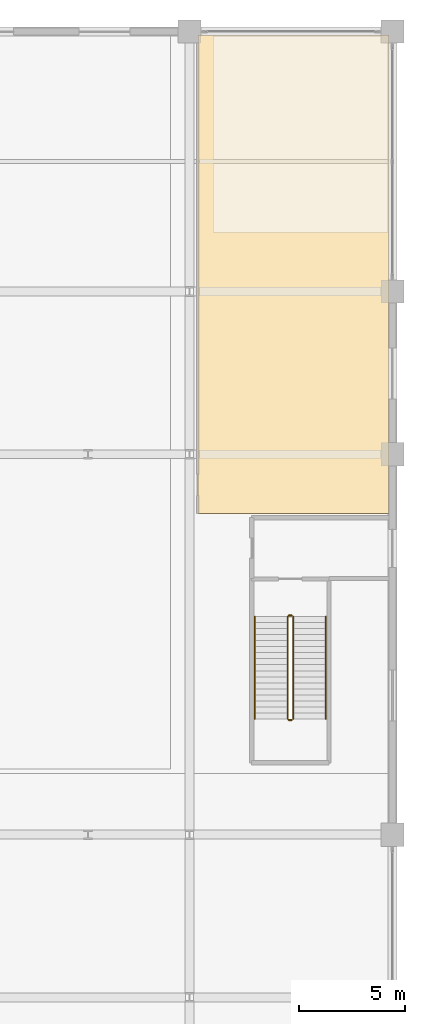
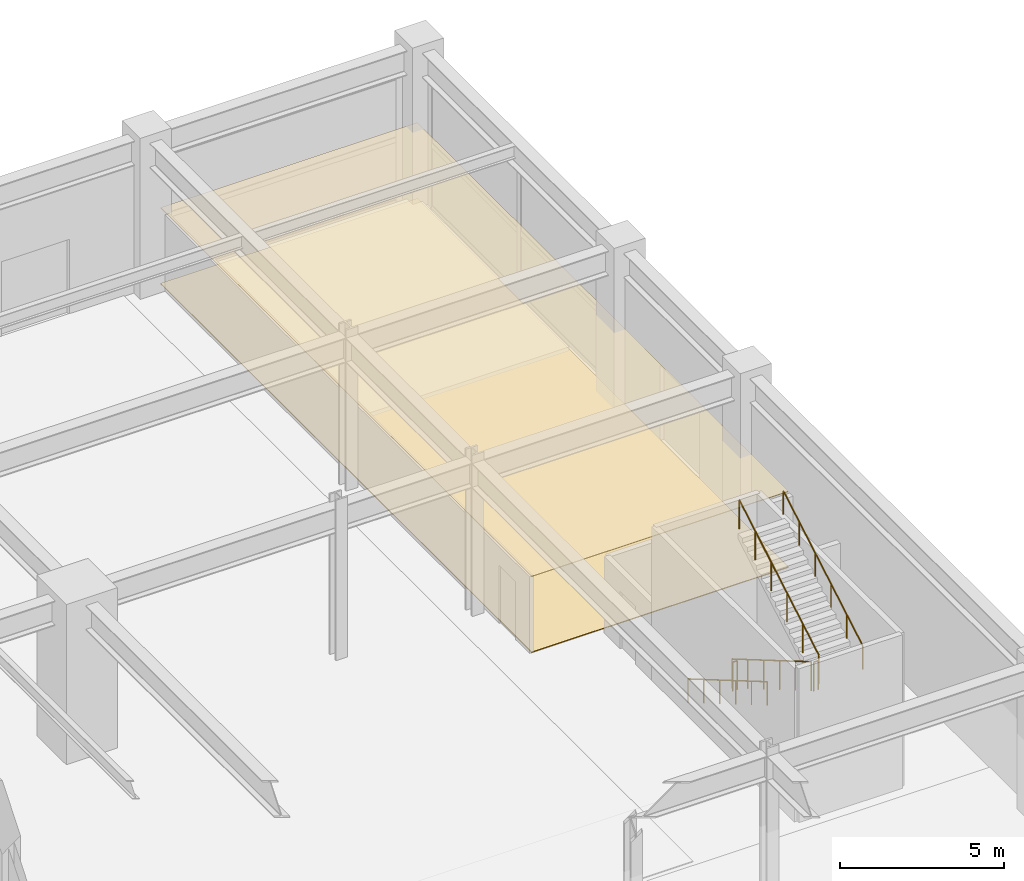
# One storey, part 40 of 41: 6 railings, 2 coverings.
"""IFC4 building model written with IfcOpenShell, lengths in metres."""

from ifc_helpers import new_model, si_unit, direction, frame, origin, origin_2d, place, context, subcontext, project, spatial, polyline, circle, outline, extrude, material, layer, layer_set, type_object, element, save


model = new_model("IFC4")

# Units and contexts
model_context = context("Model", 3, precision=1e-05, world=origin(), true_north=direction((0.0, 1.0)))
body_context = subcontext(model_context, "Body", "Model", "MODEL_VIEW")
ifc_project = project(units=[si_unit("LENGTHUNIT", "METRE"), si_unit("AREAUNIT", "SQUARE_METRE"), si_unit("VOLUMEUNIT", "CUBIC_METRE"), si_unit("PLANEANGLEUNIT", "RADIAN"), si_unit("MASSUNIT", "GRAM", prefix="KILO")], contexts=[model_context])

# Site, building, storey
site_placement = place(None, origin())
site = spatial("IfcSite", under=ifc_project, at=site_placement, CompositionType="ELEMENT")
building_placement = place(site_placement, origin())
building = spatial("IfcBuilding", under=site, at=building_placement, Name="Kovane Verandah Tower", CompositionType="ELEMENT")
storey_placement = place(building_placement, origin())
storey = spatial("IfcBuildingStorey", under=building, at=storey_placement, Name="L00", CompositionType="ELEMENT", Elevation=0.0)

# Coverings
ifc_material_1 = material(Name="Perforated Acoustic Mineral-Fibre Ceiling Tile", Category="gypsum")
ifc_layer_1 = layer(ifc_material_1, 0.02490234375)
ifc_layer_set_1 = layer_set([ifc_layer_1], Name="Perforated Acoustic Mineral-Fibre Ceiling Tile")
covering_type_1 = type_object("IfcCoveringType", Name="CV-CEIL-25", PredefinedType="CEILING", material=ifc_layer_set_1)
covering_1_placement = place(storey_placement, frame((0.0, 0.0, 2.824951171875)))
element("IfcCovering", 1, at=covering_1_placement, inside=storey, type_object=covering_type_1, Name="L00 North-East Flagship Retail Hall Acoustic Ceiling", PredefinedType="CEILING", context=body_context, shape_type="SweptSolid", body=[
    extrude(outline(polyline([(72.800048828125, 33.699951171875), (81.85009765625, 33.699951171875), (81.85009765625, 56.35009765625), (72.800048828125, 56.35009765625), (72.800048828125, 33.699951171875)])), origin(), (0.0, 0.0, 1.0), 0.025146484375),
])
ifc_material_2 = material(Name="Polished Terrazzo and Raised-Access Carpet Tile Finish", Category="concrete")
ifc_layer_2 = layer(ifc_material_2, 0.030029296875)
ifc_layer_set_2 = layer_set([ifc_layer_2], Name="Polished Terrazzo and Raised-Access Carpet Tile Finish")
covering_type_2 = type_object("IfcCoveringType", Name="CV-FLOR-30", PredefinedType="FLOORING", material=ifc_layer_set_2)
covering_2_placement = place(storey_placement, origin())
element("IfcCovering", 2, at=covering_2_placement, inside=storey, type_object=covering_type_2, Name="L00 North-East Flagship Retail Hall Floor Finish", PredefinedType="FLOORING", context=body_context, shape_type="SweptSolid", body=[
    extrude(outline(polyline([(72.800048828125, 33.699951171875), (81.85009765625, 33.699951171875), (81.85009765625, 56.35009765625), (72.800048828125, 56.35009765625), (72.800048828125, 33.699951171875)])), origin(), (0.0, 0.0, 1.0), 0.030029296875),
])

# Railings
ifc_material_3 = material(Name="Brushed Stainless Steel Handrail", Category="steel")
railing_type_1 = type_object("IfcRailingType", Name="RL-HAND-920", PredefinedType="HANDRAIL", material=ifc_material_3)
railing_1_placement = place(storey_placement, frame((75.489990234375, 28.820068359375, 0.166748046875)))
element("IfcRailing", 3, at=railing_1_placement, inside=storey, type_object=railing_type_1, Name="L00 ST-05 stair handrail 1", PredefinedType="HANDRAIL", context=body_context, shape_type="SweptSolid", body=[
    extrude(circle(Radius=0.02392578125, at=origin_2d()), frame((0.0, 0.0, 0.8759765625), z_axis=(0.0, -0.863234098208, 0.504803815052), x_axis=(1.0, 0.0, 0.0)), (0.0, 0.0, 1.0), 5.612548828125),
    extrude(circle(Radius=0.02099609375, at=origin_2d()), origin(), (0.0, 0.0, 1.0), 0.851806640625),
    extrude(circle(Radius=0.02099609375, at=origin_2d()), frame((0.0, -0.968994140625, 0.566650390625)), (0.0, 0.0, 1.0), 0.851806640625),
    extrude(circle(Radius=0.02099609375, at=origin_2d()), frame((0.0, -1.93798828125, 1.13330078125)), (0.0, 0.0, 1.0), 0.851806640625),
    extrude(circle(Radius=0.02099609375, at=origin_2d()), frame((0.0, -2.906982421875, 1.699951171875)), (0.0, 0.0, 1.0), 0.851806640625),
    extrude(circle(Radius=0.02099609375, at=origin_2d()), frame((0.0, -3.8759765625, 2.2666015625)), (0.0, 0.0, 1.0), 0.851806640625),
    extrude(circle(Radius=0.02099609375, at=origin_2d()), frame((0.0, -4.844970703125, 2.833251953125)), (0.0, 0.0, 1.0), 0.851806640625),
])
railing_2_placement = place(storey_placement, frame((78.85009765625, 23.97509765625, 3.166748046875)))
element("IfcRailing", 4, at=railing_2_placement, inside=storey, type_object=railing_type_1, Name="L00 ST-05 stair handrail 2", PredefinedType="HANDRAIL", context=body_context, shape_type="SweptSolid", body=[
    extrude(circle(Radius=0.02392578125, at=origin_2d()), frame((0.0, 0.0, 0.8759765625), z_axis=(0.0, 0.863234098208, 0.504803815052), x_axis=(-1.0, 0.0, 0.0)), (0.0, 0.0, 1.0), 5.612548828125),
    extrude(circle(Radius=0.02099609375, at=origin_2d()), origin(), (0.0, 0.0, 1.0), 0.851806640625),
    extrude(circle(Radius=0.02099609375, at=origin_2d()), frame((0.0, 0.968994140625, 0.566650390625)), (0.0, 0.0, 1.0), 0.851806640625),
    extrude(circle(Radius=0.02099609375, at=origin_2d()), frame((0.0, 1.93798828125, 1.13330078125)), (0.0, 0.0, 1.0), 0.851806640625),
    extrude(circle(Radius=0.02099609375, at=origin_2d()), frame((0.0, 2.906982421875, 1.699951171875)), (0.0, 0.0, 1.0), 0.851806640625),
    extrude(circle(Radius=0.02099609375, at=origin_2d()), frame((0.0, 3.8759765625, 2.2666015625)), (0.0, 0.0, 1.0), 0.851806640625),
    extrude(circle(Radius=0.02099609375, at=origin_2d()), frame((0.0, 4.844970703125, 2.833251953125)), (0.0, 0.0, 1.0), 0.851806640625),
])
ifc_material_4 = material(Name="Painted Steel Stairwell Guardrail", Category="steel")
railing_type_2 = type_object("IfcRailingType", Name="RL-STGUARD-1120", PredefinedType="GUARDRAIL", material=ifc_material_4)
railing_3_placement = place(storey_placement, frame((77.0400390625, 28.820068359375, 0.166748046875)))
element("IfcRailing", 5, at=railing_3_placement, inside=storey, type_object=railing_type_2, Name="L00 ST-05 stair guard 1", PredefinedType="GUARDRAIL", context=body_context, shape_type="SweptSolid", body=[
    extrude(circle(Radius=0.02392578125, at=origin_2d()), frame((0.0, 0.0, 1.076171875), z_axis=(0.0, -0.863234098208, 0.504803815052), x_axis=(1.0, 0.0, 0.0)), (0.0, 0.0, 1.0), 5.612548828125),
    extrude(circle(Radius=0.02099609375, at=origin_2d()), origin(), (0.0, 0.0, 1.0), 1.052001953125),
    extrude(circle(Radius=0.02099609375, at=origin_2d()), frame((0.0, -0.968994140625, 0.566650390625)), (0.0, 0.0, 1.0), 1.052001953125),
    extrude(circle(Radius=0.02099609375, at=origin_2d()), frame((0.0, -1.93798828125, 1.13330078125)), (0.0, 0.0, 1.0), 1.052001953125),
    extrude(circle(Radius=0.02099609375, at=origin_2d()), frame((0.0, -2.906982421875, 1.699951171875)), (0.0, 0.0, 1.0), 1.052001953125),
    extrude(circle(Radius=0.02099609375, at=origin_2d()), frame((0.0, -3.8759765625, 2.2666015625)), (0.0, 0.0, 1.0), 1.052001953125),
    extrude(circle(Radius=0.02099609375, at=origin_2d()), frame((0.0, -4.844970703125, 2.833251953125)), (0.0, 0.0, 1.0), 1.052001953125),
])
railing_4_placement = place(storey_placement, frame((77.090087890625, 23.925048828125, 3.0)))
element("IfcRailing", 6, at=railing_4_placement, inside=storey, type_object=railing_type_2, Name="L00 ST-05 stair guard 2", PredefinedType="GUARDRAIL", context=body_context, shape_type="SweptSolid", body=[
    extrude(circle(Radius=0.02392578125, at=origin_2d()), frame((0.0, 0.0, 1.076171875), z_axis=(1.0, 0.0, 0.0), x_axis=(0.0, 1.0, 0.0)), (0.0, 0.0, 1.0), 0.159912109375),
    extrude(circle(Radius=0.02099609375, at=origin_2d()), origin(), (0.0, 0.0, 1.0), 1.052001953125),
    extrude(circle(Radius=0.02099609375, at=origin_2d()), frame((0.159912109375, 0.0, 0.0)), (0.0, 0.0, 1.0), 1.052001953125),
])
railing_5_placement = place(storey_placement, frame((77.300048828125, 23.97509765625, 3.166748046875)))
element("IfcRailing", 7, at=railing_5_placement, inside=storey, type_object=railing_type_2, Name="L00 ST-05 stair guard 3", PredefinedType="GUARDRAIL", context=body_context, shape_type="SweptSolid", body=[
    extrude(circle(Radius=0.02392578125, at=origin_2d()), frame((0.0, 0.0, 1.076171875), z_axis=(0.0, 0.863234098208, 0.504803815052), x_axis=(-1.0, 0.0, 0.0)), (0.0, 0.0, 1.0), 5.612548828125),
    extrude(circle(Radius=0.02099609375, at=origin_2d()), origin(), (0.0, 0.0, 1.0), 1.052001953125),
    extrude(circle(Radius=0.02099609375, at=origin_2d()), frame((0.0, 0.968994140625, 0.566650390625)), (0.0, 0.0, 1.0), 1.052001953125),
    extrude(circle(Radius=0.02099609375, at=origin_2d()), frame((0.0, 1.93798828125, 1.13330078125)), (0.0, 0.0, 1.0), 1.052001953125),
    extrude(circle(Radius=0.02099609375, at=origin_2d()), frame((0.0, 2.906982421875, 1.699951171875)), (0.0, 0.0, 1.0), 1.052001953125),
    extrude(circle(Radius=0.02099609375, at=origin_2d()), frame((0.0, 3.8759765625, 2.2666015625)), (0.0, 0.0, 1.0), 1.052001953125),
    extrude(circle(Radius=0.02099609375, at=origin_2d()), frame((0.0, 4.844970703125, 2.833251953125)), (0.0, 0.0, 1.0), 1.052001953125),
])
railing_6_placement = place(storey_placement, frame((77.090087890625, 28.8701171875, 0.0)))
element("IfcRailing", 8, at=railing_6_placement, inside=storey, type_object=railing_type_2, Name="L00 ST-05 stair guard 4", PredefinedType="GUARDRAIL", context=body_context, shape_type="SweptSolid", body=[
    extrude(circle(Radius=0.02392578125, at=origin_2d()), frame((0.0, 0.0, 1.076171875), z_axis=(1.0, 0.0, 0.0), x_axis=(0.0, 1.0, 0.0)), (0.0, 0.0, 1.0), 0.159912109375),
    extrude(circle(Radius=0.02099609375, at=origin_2d()), origin(), (0.0, 0.0, 1.0), 1.052001953125),
    extrude(circle(Radius=0.02099609375, at=origin_2d()), frame((0.159912109375, 0.0, 0.0)), (0.0, 0.0, 1.0), 1.052001953125),
])

save(model, "model.ifc")
